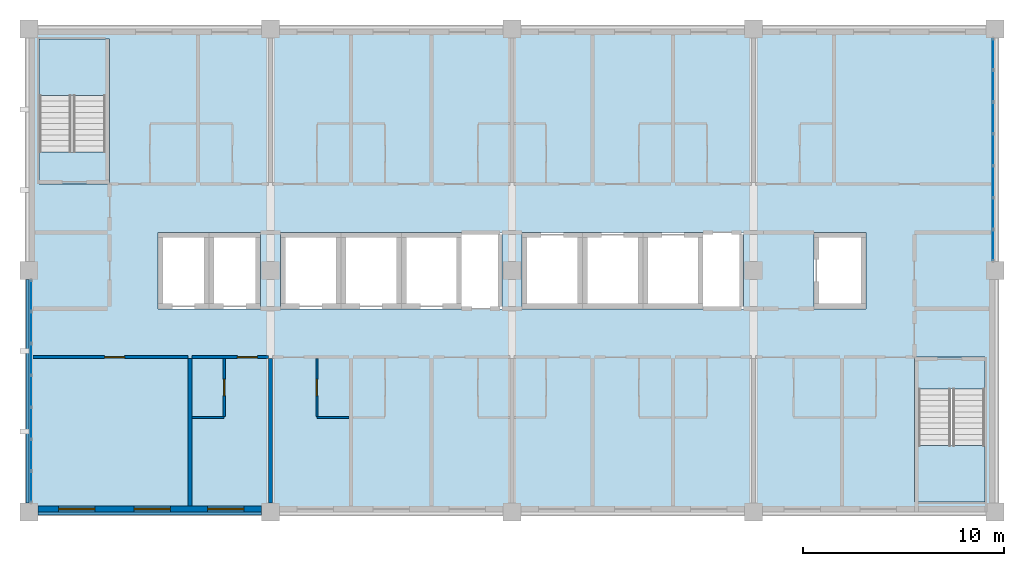
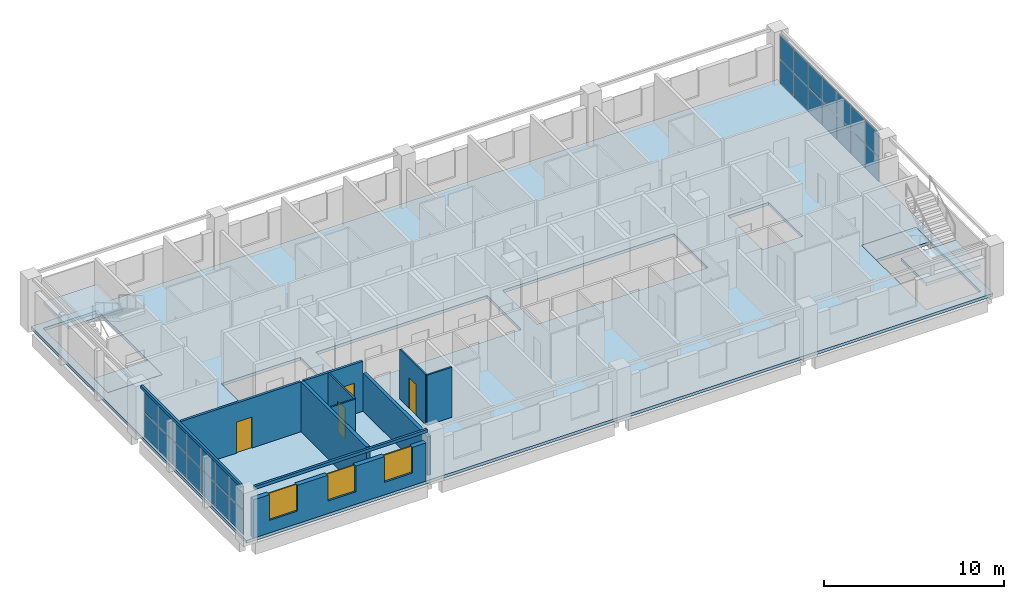
# One storey, part 5 of 11: 28 plates, 11 walls, 5 slabs, 4 doors, 3 windows, 7 openings, 4 elements without a shape of their own.
"""IFC4 building model written with IfcOpenShell, lengths in metres."""

from ifc_helpers import new_model, si_unit, direction, frame, frame_2d, origin, origin_2d, place, context, subcontext, project, spatial, polyline, rectangle, outline, extrude, material, layer, layer_set, type_object, element, fill, aggregate, save


model = new_model("IFC4")

# Units and contexts
model_context = context("Model", 3, precision=1e-05, world=origin(), true_north=direction((0.0, 1.0)))
body_context = subcontext(model_context, "Body", "Model", "MODEL_VIEW")
ifc_project = project(units=[si_unit("LENGTHUNIT", "METRE"), si_unit("AREAUNIT", "SQUARE_METRE"), si_unit("VOLUMEUNIT", "CUBIC_METRE"), si_unit("PLANEANGLEUNIT", "RADIAN"), si_unit("MASSUNIT", "GRAM", prefix="KILO")], contexts=[model_context])

# Site, building, storey
site_placement = place(None, origin())
site = spatial("IfcSite", under=ifc_project, at=site_placement, CompositionType="ELEMENT")
building_placement = place(site_placement, origin())
building = spatial("IfcBuilding", under=site, at=building_placement, Name="Lilac Gate Convention Centre", CompositionType="ELEMENT")
storey_placement = place(building_placement, frame((0.0, 0.0, 28.199951171875)))
storey = spatial("IfcBuildingStorey", under=building, at=storey_placement, Name="L06", CompositionType="ELEMENT", Elevation=28.199951171875)

# Curtain wall, plates
ifc_material_1 = material(Name="Aluminium framed double glazing", Category="aluminium")
ifc_layer_1 = layer(ifc_material_1, 0.199951171875)
ifc_layer_set_1 = layer_set([ifc_layer_1], Name="Aluminium framed double glazing")
curtain_wall_type = type_object("IfcCurtainWallType", Name="Unitised curtain wall 1500", PredefinedType="NOTDEFINED", material=ifc_layer_set_1)
curtain_wall_1_placement = place(storey_placement, origin())
curtain_wall_1 = element("IfcCurtainWall", 1, at=curtain_wall_1_placement, inside=storey, type_object=curtain_wall_type, Name="Curtain wall E L06 2", PredefinedType="NOTDEFINED")
ifc_material_2 = material(Name="Double glazed unit low emissivity")
ifc_layer_2 = layer(ifc_material_2, 0.028076171875)
ifc_layer_set_2 = layer_set([ifc_layer_2], Name="Double glazed unit low emissivity")
plate_type_1 = type_object("IfcPlateType", Name="Curtain wall glass panel 28", PredefinedType="CURTAIN_PANEL", material=ifc_layer_set_2)
plate_1_placement = place(storey_placement, frame((89.89990234375, 235.2578125, 1.72998046875), z_axis=(0.0, 0.0, 1.0), x_axis=(0.0, 1.0, 0.0)))
plate_1 = element("IfcPlate", 2, at=plate_1_placement, type_object=plate_type_1, Name="CW panel 1.2", PredefinedType="CURTAIN_PANEL", context=body_context, shape_type="SweptSolid", body=[
    extrude(rectangle(XDim=1.495849609375, YDim=0.028076171875, at=origin_2d()), origin(), (0.0, 0.0, 1.0), 1.610107421875),
])
plate_2_placement = place(storey_placement, frame((89.89990234375, 236.82861328125, 1.72998046875), z_axis=(0.0, 0.0, 1.0), x_axis=(0.0, 1.0, 0.0)))
plate_2 = element("IfcPlate", 3, at=plate_2_placement, type_object=plate_type_1, Name="CW panel 2.2", PredefinedType="CURTAIN_PANEL", context=body_context, shape_type="SweptSolid", body=[
    extrude(rectangle(XDim=1.525634765625, YDim=0.028076171875, at=origin_2d()), origin(), (0.0, 0.0, 1.0), 1.610107421875),
])
plate_3_placement = place(storey_placement, frame((89.89990234375, 238.414306640625, 1.72998046875), z_axis=(0.0, 0.0, 1.0), x_axis=(0.0, 1.0, 0.0)))
plate_3 = element("IfcPlate", 4, at=plate_3_placement, type_object=plate_type_1, Name="CW panel 3.2", PredefinedType="CURTAIN_PANEL", context=body_context, shape_type="SweptSolid", body=[
    extrude(rectangle(XDim=1.525634765625, YDim=0.028076171875, at=origin_2d()), origin(), (0.0, 0.0, 1.0), 1.610107421875),
])
plate_4_placement = place(storey_placement, frame((89.89990234375, 240.0, 1.72998046875), z_axis=(0.0, 0.0, 1.0), x_axis=(0.0, 1.0, 0.0)))
plate_4 = element("IfcPlate", 5, at=plate_4_placement, type_object=plate_type_1, Name="CW panel 4.2", PredefinedType="CURTAIN_PANEL", context=body_context, shape_type="SweptSolid", body=[
    extrude(rectangle(XDim=1.525634765625, YDim=0.028076171875, at=origin_2d()), origin(), (0.0, 0.0, 1.0), 1.610107421875),
])
plate_5_placement = place(storey_placement, frame((89.89990234375, 241.585693359375, 1.72998046875), z_axis=(0.0, 0.0, 1.0), x_axis=(0.0, 1.0, 0.0)))
plate_5 = element("IfcPlate", 6, at=plate_5_placement, type_object=plate_type_1, Name="CW panel 5.2", PredefinedType="CURTAIN_PANEL", context=body_context, shape_type="SweptSolid", body=[
    extrude(rectangle(XDim=1.525634765625, YDim=0.028076171875, at=origin_2d()), origin(), (0.0, 0.0, 1.0), 1.610107421875),
])
plate_6_placement = place(storey_placement, frame((89.89990234375, 243.17138671875, 1.72998046875), z_axis=(0.0, 0.0, 1.0), x_axis=(0.0, 1.0, 0.0)))
plate_6 = element("IfcPlate", 7, at=plate_6_placement, type_object=plate_type_1, Name="CW panel 6.2", PredefinedType="CURTAIN_PANEL", context=body_context, shape_type="SweptSolid", body=[
    extrude(rectangle(XDim=1.525634765625, YDim=0.028076171875, at=origin_2d()), origin(), (0.0, 0.0, 1.0), 1.610107421875),
])
plate_7_placement = place(storey_placement, frame((89.89990234375, 244.7421875, 1.72998046875), z_axis=(0.0, 0.0, 1.0), x_axis=(0.0, 1.0, 0.0)))
plate_7 = element("IfcPlate", 8, at=plate_7_placement, type_object=plate_type_1, Name="CW panel 7.2", PredefinedType="CURTAIN_PANEL", context=body_context, shape_type="SweptSolid", body=[
    extrude(rectangle(XDim=1.495849609375, YDim=0.028076171875, at=origin_2d()), origin(), (0.0, 0.0, 1.0), 1.610107421875),
])

curtain_wall_2_placement = place(storey_placement, origin())
curtain_wall_2 = element("IfcCurtainWall", 9, at=curtain_wall_2_placement, inside=storey, type_object=curtain_wall_type, Name="Curtain wall W L06 2", PredefinedType="NOTDEFINED")
plate_8_placement = place(storey_placement, frame((42.10009765625, 232.7421875, 1.72998046875), z_axis=(0.0, 0.0, 1.0), x_axis=(0.0, -1.0, 0.0)))
plate_8 = element("IfcPlate", 10, at=plate_8_placement, type_object=plate_type_1, Name="CW panel 1.2", PredefinedType="CURTAIN_PANEL", context=body_context, shape_type="SweptSolid", body=[
    extrude(rectangle(XDim=1.495849609375, YDim=0.028076171875, at=origin_2d()), origin(), (0.0, 0.0, 1.0), 1.610107421875),
])
plate_9_placement = place(storey_placement, frame((42.10009765625, 231.17138671875, 1.72998046875), z_axis=(0.0, 0.0, 1.0), x_axis=(0.0, -1.0, 0.0)))
plate_9 = element("IfcPlate", 11, at=plate_9_placement, type_object=plate_type_1, Name="CW panel 2.2", PredefinedType="CURTAIN_PANEL", context=body_context, shape_type="SweptSolid", body=[
    extrude(rectangle(XDim=1.525634765625, YDim=0.028076171875, at=origin_2d()), origin(), (0.0, 0.0, 1.0), 1.610107421875),
])
plate_10_placement = place(storey_placement, frame((42.10009765625, 229.585693359375, 1.72998046875), z_axis=(0.0, 0.0, 1.0), x_axis=(0.0, -1.0, 0.0)))
plate_10 = element("IfcPlate", 12, at=plate_10_placement, type_object=plate_type_1, Name="CW panel 3.2", PredefinedType="CURTAIN_PANEL", context=body_context, shape_type="SweptSolid", body=[
    extrude(rectangle(XDim=1.525634765625, YDim=0.028076171875, at=origin_2d()), origin(), (0.0, 0.0, 1.0), 1.610107421875),
])
plate_11_placement = place(storey_placement, frame((42.10009765625, 228.0, 1.72998046875), z_axis=(0.0, 0.0, 1.0), x_axis=(0.0, -1.0, 0.0)))
plate_11 = element("IfcPlate", 13, at=plate_11_placement, type_object=plate_type_1, Name="CW panel 4.2", PredefinedType="CURTAIN_PANEL", context=body_context, shape_type="SweptSolid", body=[
    extrude(rectangle(XDim=1.525634765625, YDim=0.028076171875, at=origin_2d()), origin(), (0.0, 0.0, 1.0), 1.610107421875),
])
plate_12_placement = place(storey_placement, frame((42.10009765625, 226.414306640625, 1.72998046875), z_axis=(0.0, 0.0, 1.0), x_axis=(0.0, -1.0, 0.0)))
plate_12 = element("IfcPlate", 14, at=plate_12_placement, type_object=plate_type_1, Name="CW panel 5.2", PredefinedType="CURTAIN_PANEL", context=body_context, shape_type="SweptSolid", body=[
    extrude(rectangle(XDim=1.525634765625, YDim=0.028076171875, at=origin_2d()), origin(), (0.0, 0.0, 1.0), 1.610107421875),
])
plate_13_placement = place(storey_placement, frame((42.10009765625, 224.82861328125, 1.72998046875), z_axis=(0.0, 0.0, 1.0), x_axis=(0.0, -1.0, 0.0)))
plate_13 = element("IfcPlate", 15, at=plate_13_placement, type_object=plate_type_1, Name="CW panel 6.2", PredefinedType="CURTAIN_PANEL", context=body_context, shape_type="SweptSolid", body=[
    extrude(rectangle(XDim=1.525634765625, YDim=0.028076171875, at=origin_2d()), origin(), (0.0, 0.0, 1.0), 1.610107421875),
])
plate_14_placement = place(storey_placement, frame((42.10009765625, 223.2578125, 1.72998046875), z_axis=(0.0, 0.0, 1.0), x_axis=(0.0, -1.0, 0.0)))
plate_14 = element("IfcPlate", 16, at=plate_14_placement, type_object=plate_type_1, Name="CW panel 7.2", PredefinedType="CURTAIN_PANEL", context=body_context, shape_type="SweptSolid", body=[
    extrude(rectangle(XDim=1.495849609375, YDim=0.028076171875, at=origin_2d()), origin(), (0.0, 0.0, 1.0), 1.610107421875),
])

# Plate
ifc_material_3 = material(Name="Insulated aluminium spandrel panel", Category="aluminium")
ifc_layer_3 = layer(ifc_material_3, 0.028076171875)
ifc_layer_set_3 = layer_set([ifc_layer_3], Name="Insulated aluminium spandrel panel")
plate_type_2 = type_object("IfcPlateType", Name="Curtain wall spandrel panel 28", PredefinedType="CURTAIN_PANEL", material=ifc_layer_set_3)
plate_15_placement = place(storey_placement, frame((89.89990234375, 235.2578125, 0.06005859375), z_axis=(0.0, 0.0, 1.0), x_axis=(0.0, 1.0, 0.0)))
plate_15 = element("IfcPlate", 17, at=plate_15_placement, type_object=plate_type_2, Name="CW spandrel 1.1", PredefinedType="CURTAIN_PANEL", context=body_context, shape_type="SweptSolid", body=[
    extrude(rectangle(XDim=1.495849609375, YDim=0.028076171875, at=origin_2d()), origin(), (0.0, 0.0, 1.0), 1.610107421875),
])

plate_16_placement = place(storey_placement, frame((89.89990234375, 236.82861328125, 0.06005859375), z_axis=(0.0, 0.0, 1.0), x_axis=(0.0, 1.0, 0.0)))
plate_16 = element("IfcPlate", 18, at=plate_16_placement, type_object=plate_type_2, Name="CW spandrel 2.1", PredefinedType="CURTAIN_PANEL", context=body_context, shape_type="SweptSolid", body=[
    extrude(rectangle(XDim=1.525634765625, YDim=0.028076171875, at=origin_2d()), origin(), (0.0, 0.0, 1.0), 1.610107421875),
])

plate_17_placement = place(storey_placement, frame((89.89990234375, 238.414306640625, 0.06005859375), z_axis=(0.0, 0.0, 1.0), x_axis=(0.0, 1.0, 0.0)))
plate_17 = element("IfcPlate", 19, at=plate_17_placement, type_object=plate_type_2, Name="CW spandrel 3.1", PredefinedType="CURTAIN_PANEL", context=body_context, shape_type="SweptSolid", body=[
    extrude(rectangle(XDim=1.525634765625, YDim=0.028076171875, at=origin_2d()), origin(), (0.0, 0.0, 1.0), 1.610107421875),
])

plate_18_placement = place(storey_placement, frame((89.89990234375, 240.0, 0.06005859375), z_axis=(0.0, 0.0, 1.0), x_axis=(0.0, 1.0, 0.0)))
plate_18 = element("IfcPlate", 20, at=plate_18_placement, type_object=plate_type_2, Name="CW spandrel 4.1", PredefinedType="CURTAIN_PANEL", context=body_context, shape_type="SweptSolid", body=[
    extrude(rectangle(XDim=1.525634765625, YDim=0.028076171875, at=origin_2d()), origin(), (0.0, 0.0, 1.0), 1.610107421875),
])

plate_19_placement = place(storey_placement, frame((89.89990234375, 241.585693359375, 0.06005859375), z_axis=(0.0, 0.0, 1.0), x_axis=(0.0, 1.0, 0.0)))
plate_19 = element("IfcPlate", 21, at=plate_19_placement, type_object=plate_type_2, Name="CW spandrel 5.1", PredefinedType="CURTAIN_PANEL", context=body_context, shape_type="SweptSolid", body=[
    extrude(rectangle(XDim=1.525634765625, YDim=0.028076171875, at=origin_2d()), origin(), (0.0, 0.0, 1.0), 1.610107421875),
])

plate_20_placement = place(storey_placement, frame((89.89990234375, 243.17138671875, 0.06005859375), z_axis=(0.0, 0.0, 1.0), x_axis=(0.0, 1.0, 0.0)))
plate_20 = element("IfcPlate", 22, at=plate_20_placement, type_object=plate_type_2, Name="CW spandrel 6.1", PredefinedType="CURTAIN_PANEL", context=body_context, shape_type="SweptSolid", body=[
    extrude(rectangle(XDim=1.525634765625, YDim=0.028076171875, at=origin_2d()), origin(), (0.0, 0.0, 1.0), 1.610107421875),
])

plate_21_placement = place(storey_placement, frame((89.89990234375, 244.7421875, 0.06005859375), z_axis=(0.0, 0.0, 1.0), x_axis=(0.0, 1.0, 0.0)))
plate_21 = element("IfcPlate", 23, at=plate_21_placement, type_object=plate_type_2, Name="CW spandrel 7.1", PredefinedType="CURTAIN_PANEL", context=body_context, shape_type="SweptSolid", body=[
    extrude(rectangle(XDim=1.495849609375, YDim=0.028076171875, at=origin_2d()), origin(), (0.0, 0.0, 1.0), 1.610107421875),
])

aggregate(curtain_wall_1, [plate_15, plate_1, plate_16, plate_2, plate_17, plate_3, plate_18, plate_4, plate_19, plate_5, plate_20, plate_6, plate_21, plate_7])

plate_22_placement = place(storey_placement, frame((42.10009765625, 232.7421875, 0.06005859375), z_axis=(0.0, 0.0, 1.0), x_axis=(0.0, -1.0, 0.0)))
plate_22 = element("IfcPlate", 24, at=plate_22_placement, type_object=plate_type_2, Name="CW spandrel 1.1", PredefinedType="CURTAIN_PANEL", context=body_context, shape_type="SweptSolid", body=[
    extrude(rectangle(XDim=1.495849609375, YDim=0.028076171875, at=origin_2d()), origin(), (0.0, 0.0, 1.0), 1.610107421875),
])

plate_23_placement = place(storey_placement, frame((42.10009765625, 231.17138671875, 0.06005859375), z_axis=(0.0, 0.0, 1.0), x_axis=(0.0, -1.0, 0.0)))
plate_23 = element("IfcPlate", 25, at=plate_23_placement, type_object=plate_type_2, Name="CW spandrel 2.1", PredefinedType="CURTAIN_PANEL", context=body_context, shape_type="SweptSolid", body=[
    extrude(rectangle(XDim=1.525634765625, YDim=0.028076171875, at=origin_2d()), origin(), (0.0, 0.0, 1.0), 1.610107421875),
])

plate_24_placement = place(storey_placement, frame((42.10009765625, 229.585693359375, 0.06005859375), z_axis=(0.0, 0.0, 1.0), x_axis=(0.0, -1.0, 0.0)))
plate_24 = element("IfcPlate", 26, at=plate_24_placement, type_object=plate_type_2, Name="CW spandrel 3.1", PredefinedType="CURTAIN_PANEL", context=body_context, shape_type="SweptSolid", body=[
    extrude(rectangle(XDim=1.525634765625, YDim=0.028076171875, at=origin_2d()), origin(), (0.0, 0.0, 1.0), 1.610107421875),
])

plate_25_placement = place(storey_placement, frame((42.10009765625, 228.0, 0.06005859375), z_axis=(0.0, 0.0, 1.0), x_axis=(0.0, -1.0, 0.0)))
plate_25 = element("IfcPlate", 27, at=plate_25_placement, type_object=plate_type_2, Name="CW spandrel 4.1", PredefinedType="CURTAIN_PANEL", context=body_context, shape_type="SweptSolid", body=[
    extrude(rectangle(XDim=1.525634765625, YDim=0.028076171875, at=origin_2d()), origin(), (0.0, 0.0, 1.0), 1.610107421875),
])

plate_26_placement = place(storey_placement, frame((42.10009765625, 226.414306640625, 0.06005859375), z_axis=(0.0, 0.0, 1.0), x_axis=(0.0, -1.0, 0.0)))
plate_26 = element("IfcPlate", 28, at=plate_26_placement, type_object=plate_type_2, Name="CW spandrel 5.1", PredefinedType="CURTAIN_PANEL", context=body_context, shape_type="SweptSolid", body=[
    extrude(rectangle(XDim=1.525634765625, YDim=0.028076171875, at=origin_2d()), origin(), (0.0, 0.0, 1.0), 1.610107421875),
])

plate_27_placement = place(storey_placement, frame((42.10009765625, 224.82861328125, 0.06005859375), z_axis=(0.0, 0.0, 1.0), x_axis=(0.0, -1.0, 0.0)))
plate_27 = element("IfcPlate", 29, at=plate_27_placement, type_object=plate_type_2, Name="CW spandrel 6.1", PredefinedType="CURTAIN_PANEL", context=body_context, shape_type="SweptSolid", body=[
    extrude(rectangle(XDim=1.525634765625, YDim=0.028076171875, at=origin_2d()), origin(), (0.0, 0.0, 1.0), 1.610107421875),
])

plate_28_placement = place(storey_placement, frame((42.10009765625, 223.2578125, 0.06005859375), z_axis=(0.0, 0.0, 1.0), x_axis=(0.0, -1.0, 0.0)))
plate_28 = element("IfcPlate", 30, at=plate_28_placement, type_object=plate_type_2, Name="CW spandrel 7.1", PredefinedType="CURTAIN_PANEL", context=body_context, shape_type="SweptSolid", body=[
    extrude(rectangle(XDim=1.495849609375, YDim=0.028076171875, at=origin_2d()), origin(), (0.0, 0.0, 1.0), 1.610107421875),
])

aggregate(curtain_wall_2, [plate_22, plate_8, plate_23, plate_9, plate_24, plate_10, plate_25, plate_11, plate_26, plate_12, plate_27, plate_13, plate_28, plate_14])

# Stair, slabs
ifc_material_4 = material(Name="Concrete C40", Category="concrete")
stair_type = type_object("IfcStairType", Name="Exit stair", PredefinedType="DOUBLE_RETURN_STAIR", material=ifc_material_4)
stair_1_placement = place(storey_placement, origin())
stair_1 = element("IfcStair", 31, at=stair_1_placement, inside=storey, type_object=stair_type, Name="Exit stair NW L06", PredefinedType="DOUBLE_RETURN_STAIR")
ifc_layer_4 = layer(ifc_material_4, 0.199951171875)
ifc_layer_set_4 = layer_set([ifc_layer_4], Name="Concrete C40")
slab_type_1 = type_object("IfcSlabType", Name="Exit stair landing", PredefinedType="LANDING", material=ifc_layer_set_4)
slab_1_placement = place(storey_placement, frame((0.0, 0.0, -0.199951171875)))
slab_1 = element("IfcSlab", 32, at=slab_1_placement, type_object=slab_type_1, Name="ST-NW landing 1", PredefinedType="LANDING", context=body_context, shape_type="SweptSolid", body=[
    extrude(outline(polyline([(42.5, 238.300048828125), (46.0, 238.300048828125), (46.0, 239.89990234375), (42.5, 239.89990234375), (42.5, 238.300048828125)])), origin(), (0.0, 0.0, 1.0), 0.199951171875),
])
slab_2_placement = place(storey_placement, frame((0.0, 0.0, 1.60009765625)))
slab_2 = element("IfcSlab", 33, at=slab_2_placement, type_object=slab_type_1, Name="ST-NW landing 2", PredefinedType="LANDING", context=body_context, shape_type="SweptSolid", body=[
    extrude(outline(polyline([(42.5, 242.699951171875), (46.0, 242.699951171875), (46.0, 245.5), (42.5, 245.5), (42.5, 242.699951171875)])), origin(), (0.0, 0.0, 1.0), 0.199951171875),
])
aggregate(stair_1, [slab_1, slab_2])

stair_2_placement = place(storey_placement, origin())
stair_2 = element("IfcStair", 34, at=stair_2_placement, inside=storey, type_object=stair_type, Name="Exit stair SE L06", PredefinedType="DOUBLE_RETURN_STAIR")
slab_3_placement = place(storey_placement, frame((0.0, 0.0, -0.199951171875)))
slab_3 = element("IfcSlab", 35, at=slab_3_placement, type_object=slab_type_1, Name="ST-SE landing 1", PredefinedType="LANDING", context=body_context, shape_type="SweptSolid", body=[
    extrude(outline(polyline([(86.0, 228.10009765625), (89.5, 228.10009765625), (89.5, 229.699951171875), (86.0, 229.699951171875), (86.0, 228.10009765625)])), origin(), (0.0, 0.0, 1.0), 0.199951171875),
])
slab_4_placement = place(storey_placement, frame((0.0, 0.0, 1.60009765625)))
slab_4 = element("IfcSlab", 36, at=slab_4_placement, type_object=slab_type_1, Name="ST-SE landing 2", PredefinedType="LANDING", context=body_context, shape_type="SweptSolid", body=[
    extrude(outline(polyline([(86.0, 222.5), (89.5, 222.5), (89.5, 225.300048828125), (86.0, 225.300048828125), (86.0, 222.5)])), origin(), (0.0, 0.0, 1.0), 0.199951171875),
])
aggregate(stair_2, [slab_3, slab_4])

# Slab
ifc_layer_5 = layer(ifc_material_4, 0.199951171875)
ifc_layer_set_5 = layer_set([ifc_layer_5], Name="Concrete C40")
slab_type_2 = type_object("IfcSlabType", Name="Floor slab 200 C40", PredefinedType="FLOOR", material=ifc_layer_set_5)
slab_5_placement = place(storey_placement, frame((0.0, 0.0, -0.199951171875)))
element("IfcSlab", 37, at=slab_5_placement, inside=storey, type_object=slab_type_2, Name="FS3 slab L06 1", PredefinedType="FLOOR", context=body_context, shape_type="SweptSolid", body=[
    extrude(outline(polyline([(42.0, 222.0), (42.0, 246.0), (90.0, 246.0), (90.0, 222.0), (42.0, 222.0)]), holes=[polyline([(48.39990234375, 235.89990234375), (48.39990234375, 232.10009765625), (50.949951171875, 232.10009765625), (53.5, 232.10009765625), (53.5, 235.89990234375), (50.949951171875, 235.89990234375), (48.39990234375, 235.89990234375)]), polyline([(57.5, 235.89990234375), (54.5, 235.89990234375), (54.5, 232.10009765625), (57.5, 232.10009765625), (60.5, 232.10009765625), (63.5, 232.10009765625), (65.5, 232.10009765625), (65.5, 235.89990234375), (63.5, 235.89990234375), (60.5, 235.89990234375), (57.5, 235.89990234375)]), polyline([(42.5, 245.5), (42.5, 238.300048828125), (46.0, 238.300048828125), (46.0, 245.5), (42.5, 245.5)]), polyline([(89.5, 229.699951171875), (86.0, 229.699951171875), (86.0, 222.5), (89.5, 222.5), (89.5, 229.699951171875)]), polyline([(69.5, 235.89990234375), (66.5, 235.89990234375), (66.5, 232.10009765625), (69.5, 232.10009765625), (72.5, 232.10009765625), (75.5, 232.10009765625), (77.5, 232.10009765625), (77.5, 235.89990234375), (75.5, 235.89990234375), (72.5, 235.89990234375), (69.5, 235.89990234375)]), polyline([(83.60009765625, 235.89990234375), (81.0, 235.89990234375), (81.0, 232.10009765625), (83.60009765625, 232.10009765625), (83.60009765625, 235.89990234375)])]), origin(), (0.0, 0.0, 1.0), 0.199951171875),
])

# Wall, opening, door
ifc_material_5 = material(Name="Gypsum board on steel stud", Category="steel")
ifc_layer_6 = layer(ifc_material_5, 0.14990234375)
ifc_layer_set_6 = layer_set([ifc_layer_6], Name="Gypsum board on steel stud")
wall_type_1 = type_object("IfcWallType", Name="Corridor wall 150", PredefinedType="PARTITIONING", material=ifc_layer_set_6)
wall_1_placement = place(storey_placement, frame((49.89990234375, 229.699951171875, 0.0), z_axis=(0.0, 0.0, 1.0), x_axis=(-1.0, 0.0, 0.0)))
wall_1 = element("IfcWall", 38, at=wall_1_placement, inside=storey, type_object=wall_type_1, Name="Corridor wall 150 front 0601", PredefinedType="PARTITIONING", context=body_context, shape_type="SweptSolid", body=[
    extrude(rectangle(XDim=7.69970703125, YDim=0.14990234375, at=frame_2d((3.849853515625, 0.0))), origin(), (0.0, 0.0, 1.0), 3.400146484375),
])
opening_1_placement = place(wall_1_placement, frame((3.14990234375, 0.0, 0.0)))
opening_1 = element("IfcOpeningElement", 39, at=opening_1_placement, cuts=wall_1, Name="Opening T04-008", PredefinedType="OPENING", context=body_context, shape_type="SweptSolid", body=[
    extrude(rectangle(XDim=1.0, YDim=2.10009765625, at=frame_2d((0.5, 1.050048828125))), frame((0.0, 0.0849609375, 0.0), z_axis=(0.0, -1.0, 0.0), x_axis=(1.0, 0.0, 0.0)), (0.0, 0.0, 1.0), 0.169921875),
])
ifc_material_6 = material(Name="Timber", Category="wood")
door_type_1 = type_object("IfcDoorType", Name="Room door 1000", OperationType="SINGLE_SWING_LEFT", PredefinedType="DOOR", material=ifc_material_6)
door_1_placement = place(opening_1_placement, origin())
door_1 = element("IfcDoor", 40, at=door_1_placement, inside=storey, type_object=door_type_1, Name="Meeting Room door", OperationType="SINGLE_SWING_LEFT", OverallHeight=2.10009765625, OverallWidth=1.0, PredefinedType="DOOR", context=body_context, shape_type="SweptSolid", body=[
    extrude(rectangle(XDim=1.0, YDim=2.10009765625, at=frame_2d((0.5, 1.050048828125))), frame((0.0, 0.02490234375, 0.0), z_axis=(0.0, -1.0, 0.0), x_axis=(1.0, 0.0, 0.0)), (0.0, 0.0, 1.0), 0.050048828125),
])
fill(opening_1, door_1)

wall_2_placement = place(storey_placement, frame((53.89990234375, 229.699951171875, 0.0), z_axis=(0.0, 0.0, 1.0), x_axis=(-1.0, 0.0, 0.0)))
wall_2 = element("IfcWall", 41, at=wall_2_placement, inside=storey, type_object=wall_type_1, Name="Corridor wall 150 front 0602", PredefinedType="PARTITIONING", context=body_context, shape_type="SweptSolid", body=[
    extrude(rectangle(XDim=3.7998046875, YDim=0.14990234375, at=frame_2d((1.89990234375, 0.0))), origin(), (0.0, 0.0, 1.0), 3.400146484375),
])
opening_2_placement = place(wall_2_placement, frame((0.550048828125, 0.0, 0.0)))
opening_2 = element("IfcOpeningElement", 42, at=opening_2_placement, cuts=wall_2, Name="Opening T04-009", PredefinedType="OPENING", context=body_context, shape_type="SweptSolid", body=[
    extrude(rectangle(XDim=1.0, YDim=2.10009765625, at=frame_2d((0.5, 1.050048828125))), frame((0.0, 0.0849609375, 0.0), z_axis=(0.0, -1.0, 0.0), x_axis=(1.0, 0.0, 0.0)), (0.0, 0.0, 1.0), 0.169921875),
])
door_type_2 = type_object("IfcDoorType", Name="Guest room entrance door 1000", OperationType="SINGLE_SWING_LEFT", PredefinedType="DOOR", material=ifc_material_6)
door_2_placement = place(opening_2_placement, origin())
door_2 = element("IfcDoor", 43, at=door_2_placement, inside=storey, type_object=door_type_2, Name="Guest room door 0602", OperationType="SINGLE_SWING_LEFT", OverallHeight=2.10009765625, OverallWidth=1.0, PredefinedType="DOOR", context=body_context, shape_type="SweptSolid", body=[
    extrude(rectangle(XDim=1.0, YDim=2.10009765625, at=frame_2d((0.5, 1.050048828125))), frame((0.0, 0.02490234375, 0.0), z_axis=(0.0, -1.0, 0.0), x_axis=(1.0, 0.0, 0.0)), (0.0, 0.0, 1.0), 0.050048828125),
])
fill(opening_2, door_2)

# Wall
ifc_layer_7 = layer(ifc_material_5, 0.10009765625)
ifc_layer_set_7 = layer_set([ifc_layer_7], Name="Gypsum board on steel stud")
wall_type_2 = type_object("IfcWallType", Name="En-suite wall 100", PredefinedType="PARTITIONING", material=ifc_layer_set_7)
wall_3_placement = place(storey_placement, frame((50.10009765625, 226.699951171875, 0.0), z_axis=(0.0, 0.0, 1.0), x_axis=(1.0, 0.0, 0.0)))
element("IfcWall", 44, at=wall_3_placement, inside=storey, type_object=wall_type_2, Name="En-suite wall 100 bath 0602", PredefinedType="PARTITIONING", context=body_context, shape_type="SweptSolid", body=[
    extrude(rectangle(XDim=1.599853515625, YDim=0.10009765625, at=frame_2d((0.7998046875, 0.0))), origin(), (0.0, 0.0, 1.0), 3.400146484375),
])

# Wall, opening, door
wall_4_placement = place(storey_placement, frame((51.699951171875, 229.625, 0.0), z_axis=(0.0, 0.0, 1.0), x_axis=(0.0, -1.0, 0.0)))
wall_4 = element("IfcWall", 45, at=wall_4_placement, inside=storey, type_object=wall_type_2, Name="En-suite wall 100 bath side 0602", PredefinedType="PARTITIONING", context=body_context, shape_type="SweptSolid", body=[
    extrude(rectangle(XDim=2.875, YDim=0.10009765625, at=frame_2d((1.4375, 0.0))), origin(), (0.0, 0.0, 1.0), 3.400146484375),
])
opening_3_placement = place(wall_4_placement, frame((1.03759765625, 0.0, 0.0)))
opening_3 = element("IfcOpeningElement", 46, at=opening_3_placement, cuts=wall_4, Name="Opening T04-010", PredefinedType="OPENING", context=body_context, shape_type="SweptSolid", body=[
    extrude(rectangle(XDim=0.800048828125, YDim=2.10009765625, at=frame_2d((0.39990234375, 1.050048828125))), frame((0.0, 0.06005859375, 0.0), z_axis=(0.0, -1.0, 0.0), x_axis=(1.0, 0.0, 0.0)), (0.0, 0.0, 1.0), 0.1201171875),
])
door_type_3 = type_object("IfcDoorType", Name="En-suite door 800", OperationType="SINGLE_SWING_LEFT", PredefinedType="DOOR", material=ifc_material_6)
door_3_placement = place(opening_3_placement, origin())
door_3 = element("IfcDoor", 47, at=door_3_placement, inside=storey, type_object=door_type_3, Name="En-suite door 0602", OperationType="SINGLE_SWING_LEFT", OverallHeight=2.10009765625, OverallWidth=0.800048828125, PredefinedType="DOOR", context=body_context, shape_type="SweptSolid", body=[
    extrude(rectangle(XDim=0.800048828125, YDim=2.10009765625, at=frame_2d((0.39990234375, 1.050048828125))), frame((0.0, 0.02490234375, 0.0), z_axis=(0.0, -1.0, 0.0), x_axis=(1.0, 0.0, 0.0)), (0.0, 0.0, 1.0), 0.050048828125),
])
fill(opening_3, door_3)

# Wall
wall_5_placement = place(storey_placement, frame((56.300048828125, 226.699951171875, 0.0), z_axis=(0.0, 0.0, 1.0), x_axis=(1.0, 0.0, 0.0)))
element("IfcWall", 48, at=wall_5_placement, inside=storey, type_object=wall_type_2, Name="En-suite wall 100 bath 0603", PredefinedType="PARTITIONING", context=body_context, shape_type="SweptSolid", body=[
    extrude(rectangle(XDim=1.599853515625, YDim=0.10009765625, at=frame_2d((0.7998046875, 0.0))), origin(), (0.0, 0.0, 1.0), 3.400146484375),
])

# Wall, opening, door
wall_6_placement = place(storey_placement, frame((56.300048828125, 226.75, 0.0), z_axis=(0.0, 0.0, 1.0), x_axis=(0.0, 1.0, 0.0)))
wall_6 = element("IfcWall", 49, at=wall_6_placement, inside=storey, type_object=wall_type_2, Name="En-suite wall 100 bath side 0603", PredefinedType="PARTITIONING", context=body_context, shape_type="SweptSolid", body=[
    extrude(rectangle(XDim=2.875, YDim=0.10009765625, at=frame_2d((1.4375, 0.0))), origin(), (0.0, 0.0, 1.0), 3.400146484375),
])
opening_4_placement = place(wall_6_placement, frame((1.03759765625, 0.0, 0.0)))
opening_4 = element("IfcOpeningElement", 50, at=opening_4_placement, cuts=wall_6, Name="Opening T04-012", PredefinedType="OPENING", context=body_context, shape_type="SweptSolid", body=[
    extrude(rectangle(XDim=0.800048828125, YDim=2.10009765625, at=frame_2d((0.39990234375, 1.050048828125))), frame((0.0, 0.06005859375, 0.0), z_axis=(0.0, -1.0, 0.0), x_axis=(1.0, 0.0, 0.0)), (0.0, 0.0, 1.0), 0.1201171875),
])
door_4_placement = place(opening_4_placement, origin())
door_4 = element("IfcDoor", 51, at=door_4_placement, inside=storey, type_object=door_type_3, Name="En-suite door 0603", OperationType="SINGLE_SWING_RIGHT", OverallHeight=2.10009765625, OverallWidth=0.800048828125, PredefinedType="DOOR", context=body_context, shape_type="SweptSolid", body=[
    extrude(rectangle(XDim=0.800048828125, YDim=2.10009765625, at=frame_2d((0.39990234375, 1.050048828125))), frame((0.0, 0.02490234375, 0.0), z_axis=(0.0, -1.0, 0.0), x_axis=(1.0, 0.0, 0.0)), (0.0, 0.0, 1.0), 0.050048828125),
])
fill(opening_4, door_4)

# Walls
ifc_layer_8 = layer(ifc_material_5, 0.199951171875)
ifc_layer_set_8 = layer_set([ifc_layer_8], Name="Gypsum board on steel stud")
wall_type_3 = type_object("IfcWallType", Name="Guest room party wall 200", PredefinedType="PARTITIONING", material=ifc_layer_set_8)
wall_7_placement = place(storey_placement, frame((50.0, 222.2998046875, 0.0), z_axis=(0.0, 0.0, 1.0), x_axis=(0.0, 1.0, 0.0)))
element("IfcWall", 52, at=wall_7_placement, inside=storey, type_object=wall_type_3, Name="Guest room party wall 200 party 50.0", PredefinedType="PARTITIONING", context=body_context, shape_type="SweptSolid", body=[
    extrude(rectangle(XDim=7.3251953125, YDim=0.199951171875, at=frame_2d((3.66259765625, 0.0))), origin(), (0.0, 0.0, 1.0), 3.400146484375),
])
wall_8_placement = place(storey_placement, frame((54.0, 222.449951171875, 0.0), z_axis=(0.0, 0.0, 1.0), x_axis=(0.0, 1.0, 0.0)))
element("IfcWall", 53, at=wall_8_placement, inside=storey, type_object=wall_type_3, Name="Guest room party wall 200 party 54.0", PredefinedType="PARTITIONING", context=body_context, shape_type="SweptSolid", body=[
    extrude(rectangle(XDim=7.175048828125, YDim=0.199951171875, at=frame_2d((3.58740234375, 0.0))), origin(), (0.0, 0.0, 1.0), 2.60009765625),
])
ifc_material_7 = material(Name="Concrete C40 precast", Category="concrete")
ifc_layer_9 = layer(ifc_material_7, 0.1298828125)
ifc_material_8 = material(Name="Ochre mineral render")
ifc_layer_10 = layer(ifc_material_8, 0.02001953125)
ifc_layer_set_9 = layer_set([ifc_layer_9, ifc_layer_10], Name="Concrete C40 precast, Ochre mineral render")
wall_type_4 = type_object("IfcWallType", Name="Precast band ochre 150", PredefinedType="STANDARD", material=ifc_layer_set_9)
for number, where, z_axis, x_axis, name in (
    (54, (42.449951171875, 221.925048828125, 3.400146484375), (0.0, 0.0, 1.0), (1.0, 0.0, 0.0), "Precast band S L06 1"),
    (55, (41.925048828125, 233.550048828125, 3.400146484375), (0.0, 0.0, 1.0), (0.0, -1.0, 0.0), "Precast band W L06 2"),
):
    element("IfcWall", number, at=place(storey_placement, frame(where, z_axis=z_axis, x_axis=x_axis)), inside=storey, type_object=wall_type_4, Name=name, PredefinedType="STANDARD", context=body_context, shape_type="SweptSolid", body=[
        extrude(rectangle(XDim=11.10009765625, YDim=0.14990234375, at=frame_2d((5.550048828125, 0.0))), origin(), (0.0, 0.0, 1.0), 0.199951171875),
    ])

# Wall, openings, windows
ifc_layer_11 = layer(ifc_material_8, 0.02001953125)
ifc_layer_12 = layer(ifc_material_7, 0.06005859375)
ifc_material_9 = material(Name="Ventilated air cavity")
ifc_layer_13 = layer(ifc_material_9, 0.030029296875)
ifc_material_10 = material(Name="Mineral wool insulation")
ifc_layer_14 = layer(ifc_material_10, 0.1201171875)
ifc_material_11 = material(Name="Steel stud Q345 and gypsum lining", Category="steel")
ifc_layer_15 = layer(ifc_material_11, 0.070068359375)
ifc_layer_set_10 = layer_set([ifc_layer_11, ifc_layer_12, ifc_layer_13, ifc_layer_14, ifc_layer_15], Name="Ochre mineral render, Concrete C40 precast, Ventilated air cavity, Mineral wool insulation, Steel stud Q345 and gypsum lining")
wall_type_5 = type_object("IfcWallType", Name="Precast panel wall ochre 300", PredefinedType="STANDARD", material=ifc_layer_set_10)
wall_9_placement = place(storey_placement, frame((42.449951171875, 222.14990234375, 0.0), z_axis=(0.0, 0.0, 1.0), x_axis=(1.0, 0.0, 0.0)))
wall_9 = element("IfcWall", 56, at=wall_9_placement, inside=storey, type_object=wall_type_5, Name="External wall S L06 1", PredefinedType="STANDARD", context=body_context, shape_type="SweptSolid", body=[
    extrude(rectangle(XDim=11.10009765625, YDim=0.300048828125, at=frame_2d((5.550048828125, 0.0))), origin(), (0.0, 0.0, 1.0), 2.60009765625),
])
opening_5_placement = place(wall_9_placement, frame((1.02490234375, 0.0, 0.85009765625)))
opening_5 = element("IfcOpeningElement", 57, at=opening_5_placement, cuts=wall_9, Name="Opening W1", PredefinedType="OPENING", context=body_context, shape_type="SweptSolid", body=[
    extrude(rectangle(XDim=1.800048828125, YDim=1.75, at=frame_2d((0.89990234375, 0.875))), frame((0.0, 0.159912109375, 0.0), z_axis=(0.0, -1.0, 0.0), x_axis=(1.0, 0.0, 0.0)), (0.0, 0.0, 1.0), 0.320068359375),
])
opening_6_placement = place(wall_9_placement, frame((4.77490234375, 0.0, 0.85009765625)))
opening_6 = element("IfcOpeningElement", 58, at=opening_6_placement, cuts=wall_9, Name="Opening W1", PredefinedType="OPENING", context=body_context, shape_type="SweptSolid", body=[
    extrude(rectangle(XDim=1.800048828125, YDim=1.75, at=frame_2d((0.89990234375, 0.875))), frame((0.0, 0.159912109375, 0.0), z_axis=(0.0, -1.0, 0.0), x_axis=(1.0, 0.0, 0.0)), (0.0, 0.0, 1.0), 0.320068359375),
])
opening_7_placement = place(wall_9_placement, frame((8.425048828125, 0.0, 0.85009765625)))
opening_7 = element("IfcOpeningElement", 59, at=opening_7_placement, cuts=wall_9, Name="Opening W1", PredefinedType="OPENING", context=body_context, shape_type="SweptSolid", body=[
    extrude(rectangle(XDim=1.800048828125, YDim=1.75, at=frame_2d((0.89990234375, 0.875))), frame((0.0, 0.159912109375, 0.0), z_axis=(0.0, -1.0, 0.0), x_axis=(1.0, 0.0, 0.0)), (0.0, 0.0, 1.0), 0.320068359375),
])
window_type = type_object("IfcWindowType", Name="Guest room window 1800 x 1750", PartitioningType="DOUBLE_PANEL_VERTICAL", PredefinedType="WINDOW", material=ifc_material_1)
window_1_placement = place(opening_5_placement, origin())
window_1 = element("IfcWindow", 60, at=window_1_placement, inside=storey, type_object=window_type, Name="Window Guest S L06", OverallHeight=1.75, OverallWidth=1.800048828125, PartitioningType="SINGLE_PANEL", PredefinedType="WINDOW", context=body_context, shape_type="SweptSolid", body=[
    extrude(rectangle(XDim=1.800048828125, YDim=1.75, at=frame_2d((0.89990234375, 0.875))), frame((0.0, 0.030029296875, 0.0), z_axis=(0.0, -1.0, 0.0), x_axis=(1.0, 0.0, 0.0)), (0.0, 0.0, 1.0), 0.06005859375),
])
fill(opening_5, window_1)
window_2_placement = place(opening_6_placement, origin())
window_2 = element("IfcWindow", 61, at=window_2_placement, inside=storey, type_object=window_type, Name="Window Guest S L06", OverallHeight=1.75, OverallWidth=1.800048828125, PartitioningType="SINGLE_PANEL", PredefinedType="WINDOW", context=body_context, shape_type="SweptSolid", body=[
    extrude(rectangle(XDim=1.800048828125, YDim=1.75, at=frame_2d((0.89990234375, 0.875))), frame((0.0, 0.030029296875, 0.0), z_axis=(0.0, -1.0, 0.0), x_axis=(1.0, 0.0, 0.0)), (0.0, 0.0, 1.0), 0.06005859375),
])
fill(opening_6, window_2)
window_3_placement = place(opening_7_placement, origin())
window_3 = element("IfcWindow", 62, at=window_3_placement, inside=storey, type_object=window_type, Name="Window Guest S L06", OverallHeight=1.75, OverallWidth=1.800048828125, PartitioningType="SINGLE_PANEL", PredefinedType="WINDOW", context=body_context, shape_type="SweptSolid", body=[
    extrude(rectangle(XDim=1.800048828125, YDim=1.75, at=frame_2d((0.89990234375, 0.875))), frame((0.0, 0.030029296875, 0.0), z_axis=(0.0, -1.0, 0.0), x_axis=(1.0, 0.0, 0.0)), (0.0, 0.0, 1.0), 0.06005859375),
])
fill(opening_7, window_3)

save(model, "model.ifc")
